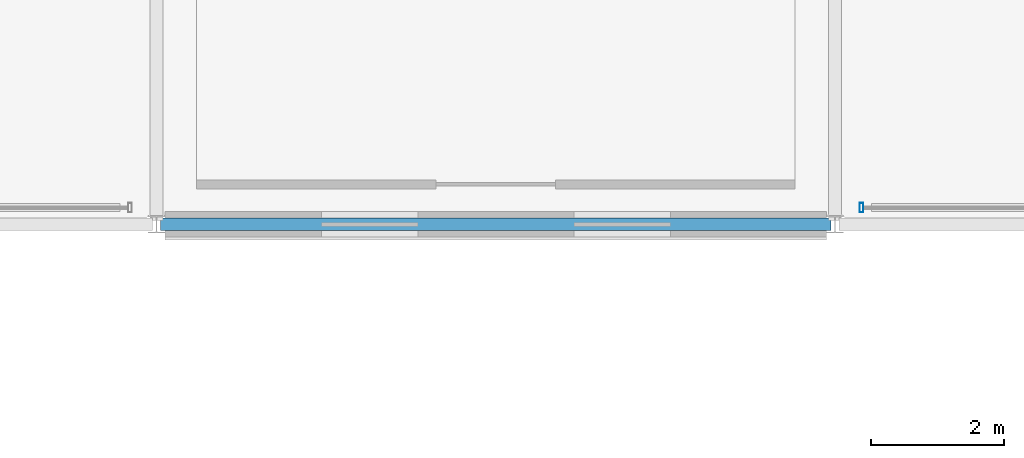
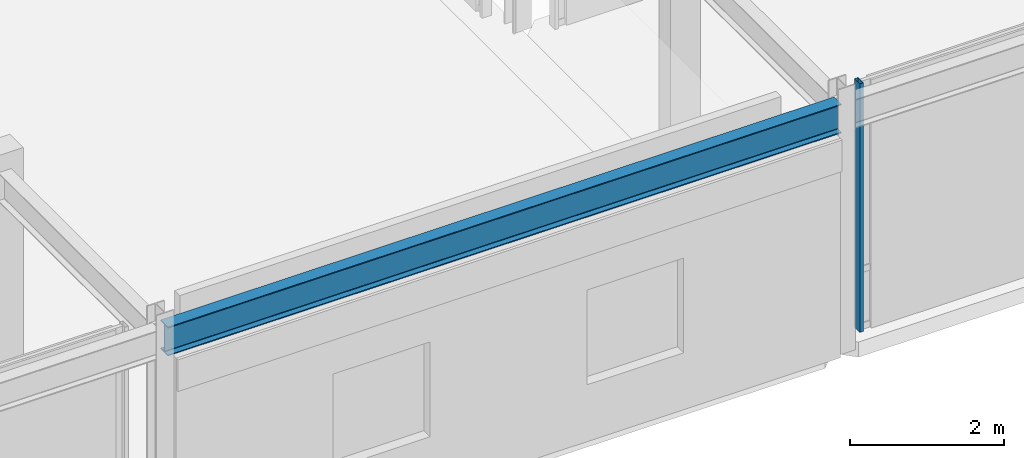
# One storey, part 29 of 152: 1 beam, 1 member, 1 element without a shape of its own.
"""IFC4 building model written with IfcOpenShell, lengths in metres."""

from ifc_helpers import new_model, si_unit, direction, frame, origin, origin_2d, place, context, subcontext, project, spatial, hollow_rectangle, i_section, extrude, material, material_profile, profile_set, type_object, element, aggregate, save


model = new_model("IFC4")

# Units and contexts
model_context = context("Model", 3, precision=1e-05, world=origin(), true_north=direction((0.0, 1.0)))
body_context = subcontext(model_context, "Body", "Model", "MODEL_VIEW")
ifc_project = project(units=[si_unit("LENGTHUNIT", "METRE"), si_unit("AREAUNIT", "SQUARE_METRE"), si_unit("VOLUMEUNIT", "CUBIC_METRE"), si_unit("PLANEANGLEUNIT", "RADIAN"), si_unit("MASSUNIT", "GRAM", prefix="KILO"), si_unit("THERMODYNAMICTEMPERATUREUNIT", "KELVIN"), si_unit("POWERUNIT", "WATT")], contexts=[model_context])

# Site, building, storey
site_placement = place(None, origin())
site = spatial("IfcSite", under=ifc_project, at=site_placement, CompositionType="ELEMENT")
building_placement = place(site_placement, origin())
building = spatial("IfcBuilding", under=site, at=building_placement, Name="Darbajah Civic Hall", CompositionType="ELEMENT")
storey_placement = place(building_placement, frame((0.0, 0.0, 5.39990234375)))
storey = spatial("IfcBuildingStorey", under=building, at=storey_placement, Name="L01", CompositionType="ELEMENT", Elevation=5.39990234375)

# Curtain wall, member
ifc_material_1 = material(Name="Anodised Bronze Aluminium and Low-E Glazing", Category="aluminium")
curtain_wall_type = type_object("IfcCurtainWallType", Name="Unitised Curtain Wall CW-103 7600x3950", PredefinedType="USERDEFINED", material=ifc_material_1)
curtain_wall_placement = place(storey_placement, origin())
curtain_wall = element("IfcCurtainWall", 1, at=curtain_wall_placement, inside=storey, type_object=curtain_wall_type, Name="L01 unitised curtain wall CW-V6-SE-S-L01", ObjectType="UNITISED CURTAIN WALL", PredefinedType="USERDEFINED")
ifc_material_2 = material(Name="Anodised Bronze Aluminium", Category="aluminium")
ifc_material_profile_1 = material_profile(ifc_material_2, hollow_rectangle(XDim=0.054931640625, YDim=0.139892578125, WallThickness=0.003173828125, at=origin_2d()), Name="ALU MULLION 55x140")
ifc_profile_set_1 = profile_set([ifc_material_profile_1], Name="Anodised Bronze Aluminium")
member_type = type_object("IfcMemberType", Name="ALU MULLION 55x140", PredefinedType="MULLION", material=ifc_profile_set_1)
member_placement = place(storey_placement, frame((94.60009765625, 33.85009765625, 0.0), z_axis=(0.0, 0.0, 1.0), x_axis=(1.0, 0.0, 0.0)))
member = element("IfcMember", 2, at=member_placement, type_object=member_type, Name="CW-V6-SE-S-L01 mullion 1", PredefinedType="MULLION", context=body_context, shape_type="SweptSolid", body=[
    extrude(hollow_rectangle(XDim=0.054931640625, YDim=0.139892578125, WallThickness=0.003173828125, at=origin_2d()), origin(), (0.0, 0.0, 1.0), 3.93017578125),
])
aggregate(curtain_wall, [member])

# Beam
ifc_material_3 = material(Name="Steel S355JR", Category="steel")
ifc_material_profile_2 = material_profile(ifc_material_3, i_section(OverallWidth=0.1904296875, OverallDepth=0.45703125, WebThickness=0.009033203125, FlangeThickness=0.014404296875, FilletRadius=0.01025390625, at=origin_2d()), Name="UB 457x191x74")
ifc_profile_set_2 = profile_set([ifc_material_profile_2], Name="Steel S355JR")
beam_type = type_object("IfcBeamType", Name="UB 457x191x74", PredefinedType="BEAM", material=ifc_profile_set_2)
beam_placement = place(storey_placement, frame((84.06005859375, 33.60009765625, 3.70166015625), z_axis=(1.0, 0.0, 0.0), x_axis=(0.0, 1.0, 0.0)))
element("IfcBeam", 3, at=beam_placement, inside=storey, type_object=beam_type, Name="L01 beam SB-457", PredefinedType="BEAM", context=body_context, shape_type="SweptSolid", body=[
    extrude(i_section(OverallWidth=0.1904296875, OverallDepth=0.45703125, WebThickness=0.009033203125, FlangeThickness=0.014404296875, FilletRadius=0.01025390625, at=origin_2d()), origin(), (0.0, 0.0, 1.0), 10.079833984375),
])

save(model, "model.ifc")
